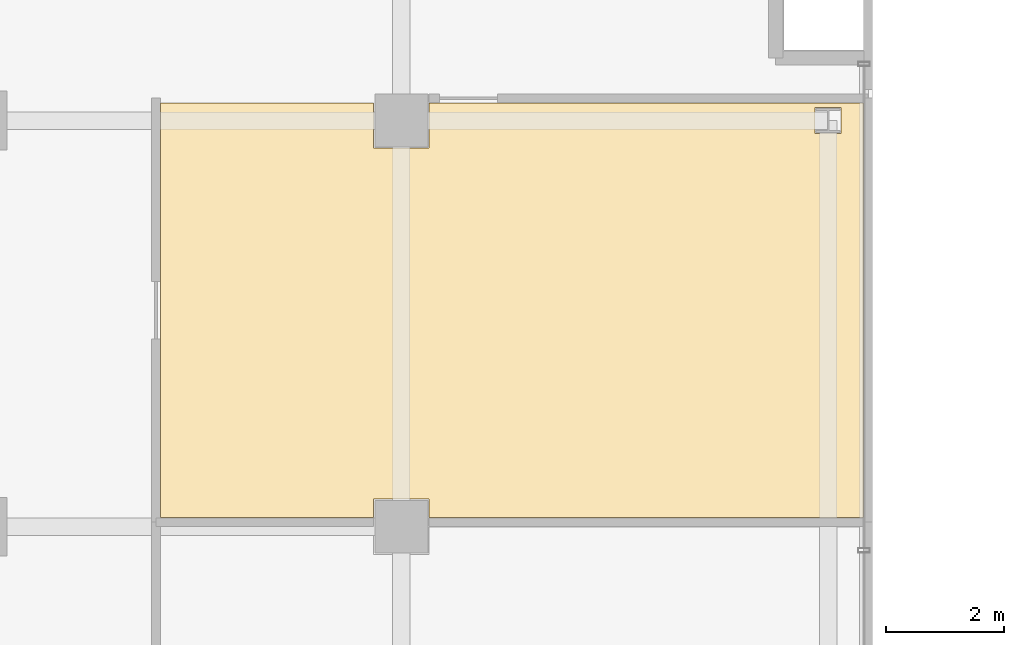
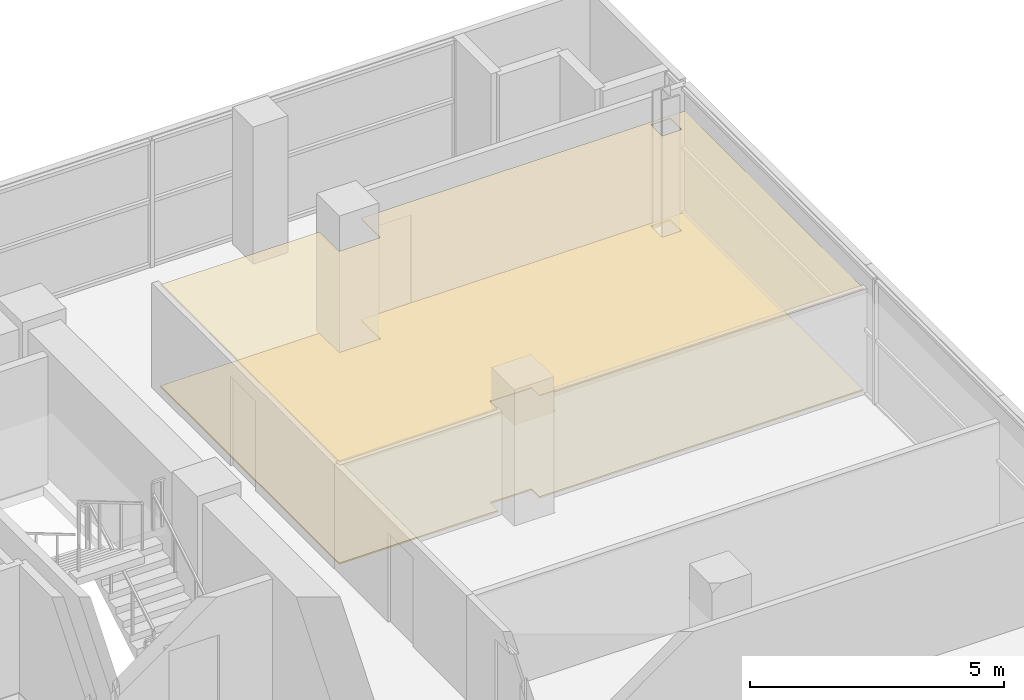
# One storey, part 24 of 25: 2 coverings.
"""IFC4 building model written with IfcOpenShell, lengths in metres."""

from ifc_helpers import new_model, si_unit, direction, frame, origin, place, context, subcontext, project, spatial, polyline, outline, extrude, material, layer, layer_set, type_object, element, save


model = new_model("IFC4")

# Units and contexts
model_context = context("Model", 3, precision=1e-05, world=origin(), true_north=direction((0.0, 1.0)))
body_context = subcontext(model_context, "Body", "Model", "MODEL_VIEW")
ifc_project = project(units=[si_unit("LENGTHUNIT", "METRE"), si_unit("AREAUNIT", "SQUARE_METRE"), si_unit("VOLUMEUNIT", "CUBIC_METRE"), si_unit("PLANEANGLEUNIT", "RADIAN"), si_unit("MASSUNIT", "GRAM", prefix="KILO")], contexts=[model_context])

# Site, building, storey
site_placement = place(None, origin())
site = spatial("IfcSite", under=ifc_project, at=site_placement, CompositionType="ELEMENT")
building_placement = place(site_placement, origin())
building = spatial("IfcBuilding", under=site, at=building_placement, Name="Zarnakvel Exchange Tower", CompositionType="ELEMENT")
storey_placement = place(building_placement, frame((0.0, 0.0, 126.39990234375)))
storey = spatial("IfcBuildingStorey", under=building, at=storey_placement, Name="L35", CompositionType="ELEMENT", Elevation=126.39990234375)

# Coverings
ifc_material_1 = material(Name="Perforated Bronze Acoustic Metal Ceiling", Category="aluminium")
ifc_layer_1 = layer(ifc_material_1, 0.02001953125)
ifc_layer_set_1 = layer_set([ifc_layer_1], Name="Perforated Bronze Acoustic Metal Ceiling")
covering_type_1 = type_object("IfcCoveringType", Name="CLG-01", PredefinedType="CEILING", material=ifc_layer_set_1)
covering_1_placement = place(storey_placement, frame((0.0, 0.0, 2.455078125)))
element("IfcCovering", 1, at=covering_1_placement, inside=storey, type_object=covering_type_1, Name="L35 Suspended Acoustic Ceiling (Members Lounge)", PredefinedType="CEILING", context=body_context, shape_type="SweptSolid", body=[
    extrude(outline(polyline([(17.510009765625, 13.800048828125), (21.1298828125, 13.800048828125), (21.1298828125, 13.030029296875), (22.070068359375, 13.030029296875), (22.070068359375, 13.800048828125), (29.449951171875, 13.800048828125), (29.449951171875, 6.7568359375), (22.070068359375, 6.7568359375), (22.070068359375, 7.070068359375), (21.1298828125, 7.070068359375), (21.1298828125, 6.7568359375), (17.510009765625, 6.7568359375), (17.510009765625, 13.800048828125)]), holes=[polyline([(28.6279296875, 13.276611328125), (29.072021484375, 13.276611328125), (29.072021484375, 13.723388671875), (28.6279296875, 13.723388671875), (28.6279296875, 13.276611328125)])]), origin(), (0.0, 0.0, 1.0), 0.02001953125),
])
ifc_material_2 = material(Name="Heavy-Duty Raised Access Floor Panel", Category="steel")
ifc_layer_2 = layer(ifc_material_2, 0.034912109375)
ifc_layer_set_2 = layer_set([ifc_layer_2], Name="Heavy-Duty Raised Access Floor Panel")
covering_type_2 = type_object("IfcCoveringType", Name="FLR-02", PredefinedType="FLOORING", material=ifc_layer_set_2)
covering_2_placement = place(storey_placement, origin())
element("IfcCovering", 2, at=covering_2_placement, inside=storey, type_object=covering_type_2, Name="L35 Floor Finish (Members Lounge)", PredefinedType="FLOORING", context=body_context, shape_type="SweptSolid", body=[
    extrude(outline(polyline([(17.510009765625, 13.800048828125), (21.1298828125, 13.800048828125), (21.1298828125, 13.030029296875), (22.070068359375, 13.030029296875), (22.070068359375, 13.800048828125), (29.449951171875, 13.800048828125), (29.449951171875, 6.7568359375), (22.070068359375, 6.7568359375), (22.070068359375, 7.070068359375), (21.1298828125, 7.070068359375), (21.1298828125, 6.7568359375), (17.510009765625, 6.7568359375), (17.510009765625, 13.800048828125)]), holes=[polyline([(28.6279296875, 13.276611328125), (29.072021484375, 13.276611328125), (29.072021484375, 13.723388671875), (28.6279296875, 13.723388671875), (28.6279296875, 13.276611328125)])]), origin(), (0.0, 0.0, 1.0), 0.03515625),
])

save(model, "model.ifc")
